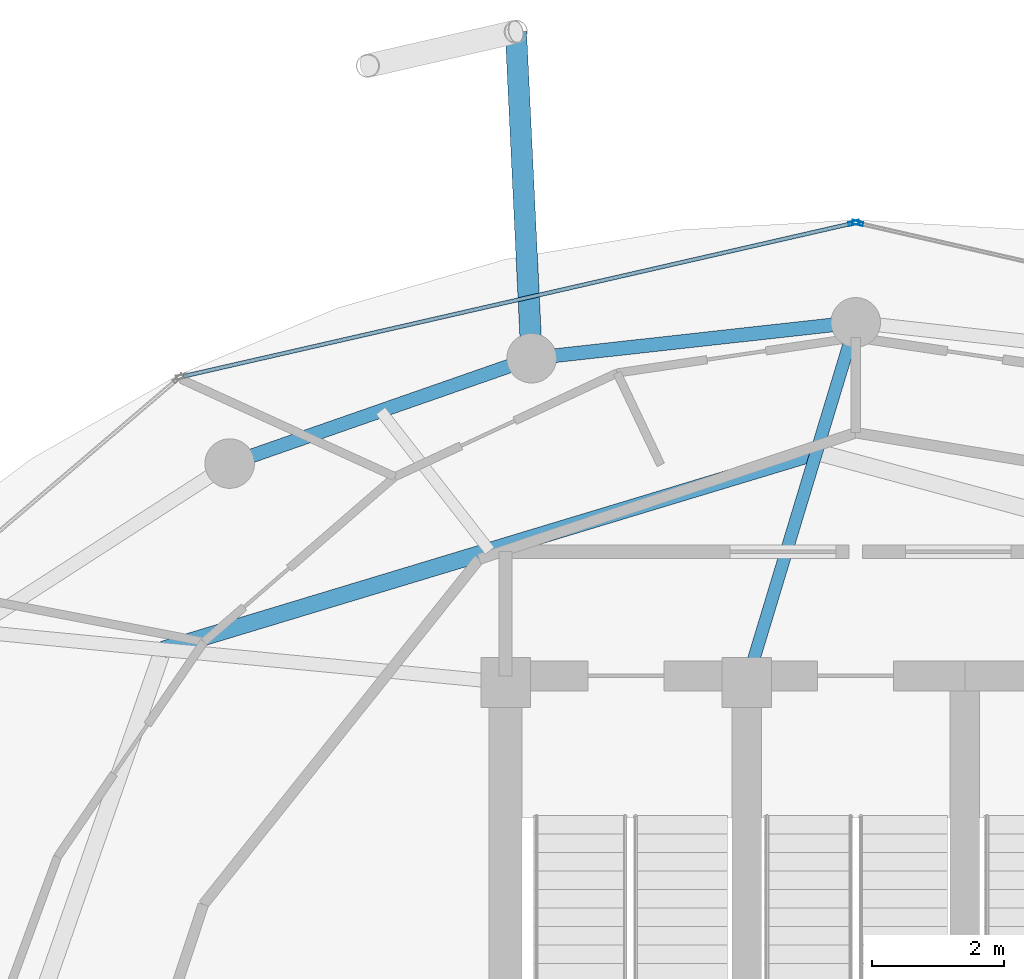
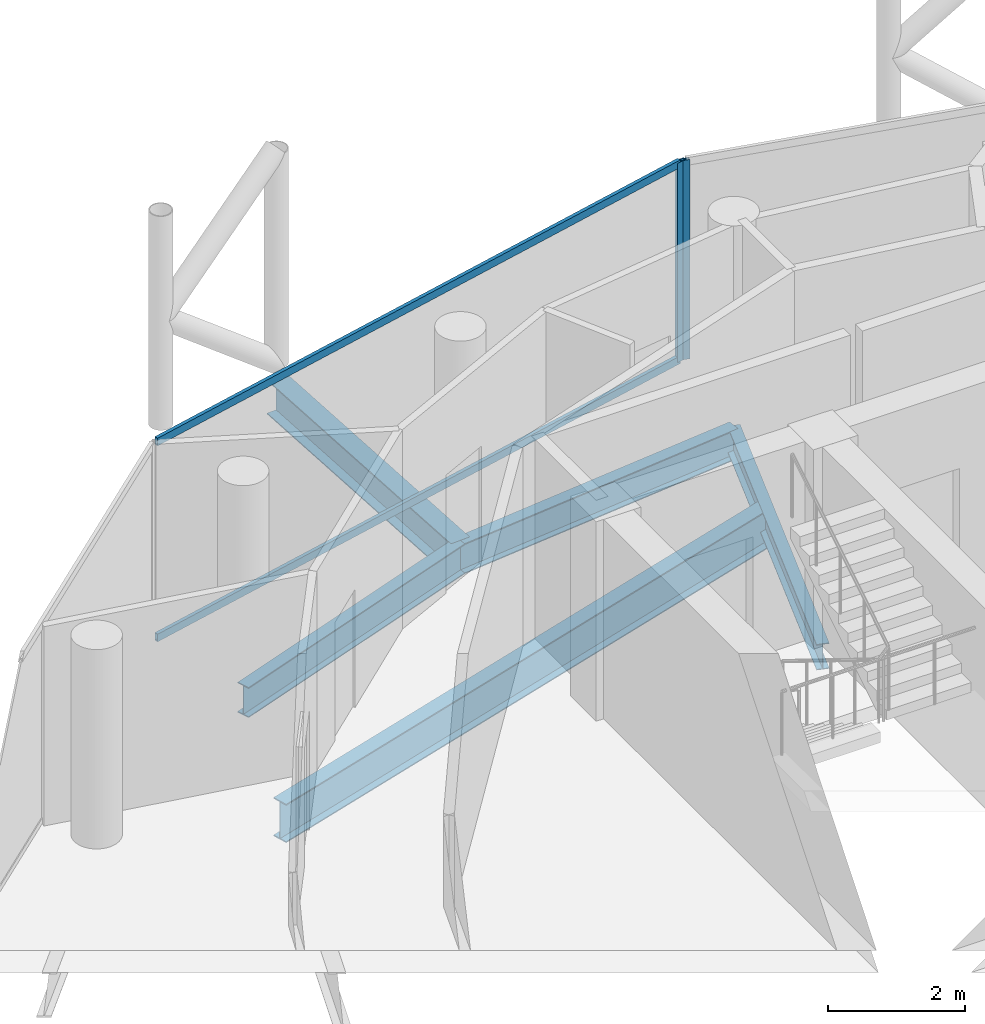
# One storey, part 16 of 24: 5 beams, 4 members, 2 elements without a shape of their own.
"""IFC4 building model written with IfcOpenShell, lengths in metres."""

from ifc_helpers import new_model, si_unit, direction, frame, origin, origin_2d, place, context, subcontext, project, spatial, hollow_rectangle, i_section, extrude, material, layer, layer_set, material_profile, profile_set, type_object, element, aggregate, save


model = new_model("IFC4")

# Units and contexts
model_context = context("Model", 3, precision=1e-05, world=origin(), true_north=direction((0.0, 1.0)))
body_context = subcontext(model_context, "Body", "Model", "MODEL_VIEW")
ifc_project = project(units=[si_unit("LENGTHUNIT", "METRE"), si_unit("AREAUNIT", "SQUARE_METRE"), si_unit("VOLUMEUNIT", "CUBIC_METRE"), si_unit("PLANEANGLEUNIT", "RADIAN"), si_unit("MASSUNIT", "GRAM", prefix="KILO")], contexts=[model_context])

# Site, building, storey
site_placement = place(None, origin())
site = spatial("IfcSite", under=ifc_project, at=site_placement, CompositionType="ELEMENT")
building_placement = place(site_placement, origin())
building = spatial("IfcBuilding", under=site, at=building_placement, Name="Nuhasar Tower", CompositionType="ELEMENT")
storey_placement = place(building_placement, frame((0.0, 0.0, 289.800048828125)))
storey = spatial("IfcBuildingStorey", under=building, at=storey_placement, Name="L72", CompositionType="ELEMENT", Elevation=289.800048828125)

# Beams
ifc_material_1 = material(Name="Steel S355", Category="steel")
ifc_material_profile_1 = material_profile(ifc_material_1, i_section(OverallWidth=0.25390625, OverallDepth=0.68408203125, WebThickness=0.012451171875, FlangeThickness=0.018798828125, at=origin_2d()), Name="W27X94")
ifc_profile_set_1 = profile_set([ifc_material_profile_1], Name="Steel S355")
beam_type_1 = type_object("IfcBeamType", Name="BM-INRING-W27X94", PredefinedType="BEAM", material=ifc_profile_set_1)
beam_1_placement = place(storey_placement, frame((38.406005859375, 40.7880859375, -0.60205078125), z_axis=(-0.957210818407, -0.289391515294, 0.0), x_axis=(0.289391515294, -0.957210818407, 0.0)))
element("IfcBeam", 1, at=beam_1_placement, inside=storey, type_object=beam_type_1, Name="L72 Inner Header Beam 06", PredefinedType="BEAM", context=body_context, shape_type="SweptSolid", body=[
    extrude(i_section(OverallWidth=0.25390625, OverallDepth=0.68408203125, WebThickness=0.012451171875, FlangeThickness=0.018798828125, at=origin_2d()), origin(), (0.0, 0.0, 1.0), 10.33203125),
])
ifc_material_profile_2 = material_profile(ifc_material_1, i_section(OverallWidth=0.18994140625, OverallDepth=0.45703125, WebThickness=0.009033203125, FlangeThickness=0.014404296875, at=origin_2d()), Name="W18X50")
ifc_profile_set_2 = profile_set([ifc_material_profile_2], Name="Steel S355")
beam_type_2 = type_object("IfcBeamType", Name="BM-RAD-W18X50", PredefinedType="BEAM", material=ifc_profile_set_2)
beam_2_placement = place(storey_placement, frame((37.35009765625, 37.300048828125, -0.488037109375), z_axis=(0.289750350206, 0.957102259195, 0.0), x_axis=(-0.957102259195, 0.289750350206, 0.0)))
element("IfcBeam", 2, at=beam_2_placement, inside=storey, type_object=beam_type_2, Name="L72 Radial Floor Girder 06", PredefinedType="BEAM", context=body_context, shape_type="SweptSolid", body=[
    extrude(i_section(OverallWidth=0.18994140625, OverallDepth=0.45703125, WebThickness=0.009033203125, FlangeThickness=0.014404296875, at=origin_2d()), origin(), (0.0, 0.0, 1.0), 5.6943359375),
])
ifc_material_profile_3 = material_profile(ifc_material_1, i_section(OverallWidth=0.2099609375, OverallDepth=0.537109375, WebThickness=0.010986328125, FlangeThickness=0.017333984375, at=origin_2d()), Name="W21X68")
ifc_profile_set_3 = profile_set([ifc_material_profile_3], Name="Steel S355")
beam_type_3 = type_object("IfcBeamType", Name="BM-RING-W21X68", PredefinedType="SPANDREL", material=ifc_profile_set_3)
beam_3_placement = place(storey_placement, frame((39.0, 42.75, -0.528076171875), z_axis=(-0.99392889943, -0.110024283128, 0.0), x_axis=(0.110024283128, -0.99392889943, 0.0)))
element("IfcBeam", 3, at=beam_3_placement, inside=storey, type_object=beam_type_3, Name="L72 Perimeter Ring Spandrel 07", PredefinedType="SPANDREL", context=body_context, shape_type="SweptSolid", body=[
    extrude(i_section(OverallWidth=0.2099609375, OverallDepth=0.537109375, WebThickness=0.010986328125, FlangeThickness=0.017333984375, at=origin_2d()), origin(), (0.0, 0.0, 1.0), 4.93505859375),
])
beam_4_placement = place(storey_placement, frame((34.094970703125, 42.20703125, -0.528076171875), z_axis=(-0.944214043504, -0.329332415729, 0.0), x_axis=(0.329332415729, -0.944214043504, 0.0)))
element("IfcBeam", 4, at=beam_4_placement, inside=storey, type_object=beam_type_3, Name="L72 Perimeter Ring Spandrel 08", PredefinedType="SPANDREL", context=body_context, shape_type="SweptSolid", body=[
    extrude(i_section(OverallWidth=0.2099609375, OverallDepth=0.537109375, WebThickness=0.010986328125, FlangeThickness=0.017333984375, at=origin_2d()), origin(), (0.0, 0.0, 1.0), 4.840087890625),
])
ifc_material_profile_4 = material_profile(ifc_material_1, i_section(OverallWidth=0.323974609375, OverallDepth=0.611083984375, WebThickness=0.0126953125, FlangeThickness=0.01904296875, at=origin_2d()), Name="W24X104")
ifc_profile_set_4 = profile_set([ifc_material_profile_4], Name="Steel S355")
beam_type_4 = type_object("IfcBeamType", Name="BM-TIE-W24X104", PredefinedType="BEAM", material=ifc_profile_set_4)
beam_5_placement = place(storey_placement, frame((34.094970703125, 42.20703125, -0.56494140625), z_axis=(-0.048111398417, 0.998841976162, 0.0), x_axis=(-0.998841976162, -0.048111398417, 0.0)))
element("IfcBeam", 5, at=beam_5_placement, inside=storey, type_object=beam_type_4, Name="L72 Exoskeleton Node Tie Beam 04", PredefinedType="BEAM", context=body_context, shape_type="SweptSolid", body=[
    extrude(i_section(OverallWidth=0.323974609375, OverallDepth=0.611083984375, WebThickness=0.0126953125, FlangeThickness=0.01904296875, at=origin_2d()), origin(), (0.0, 0.0, 1.0), 4.947509765625),
])

# Curtain wall, member
ifc_material_2 = material(Name="Aluminium 6063-T6", Category="aluminium")
ifc_layer = layer(ifc_material_2, 0.18994140625)
ifc_layer_set = layer_set([ifc_layer], Name="Aluminium 6063-T6")
curtain_wall_type = type_object("IfcCurtainWallType", Name="CW-Z4-PEN", PredefinedType="NOTDEFINED", material=ifc_layer_set)
curtain_wall_1_placement = place(storey_placement, origin())
curtain_wall_1 = element("IfcCurtainWall", 6, at=curtain_wall_1_placement, inside=storey, type_object=curtain_wall_type, Name="L72 Unitised Curtain Wall 03", PredefinedType="NOTDEFINED")
ifc_material_profile_5 = material_profile(ifc_material_2, hollow_rectangle(XDim=0.06005859375, YDim=0.1650390625, WallThickness=0.0048828125, at=origin_2d()), Name="CWM-5")
ifc_profile_set_5 = profile_set([ifc_material_profile_5], Name="Aluminium 6063-T6")
member_type_1 = type_object("IfcMemberType", Name="CW-MUL-S5", PredefinedType="MULLION", material=ifc_profile_set_5)
member_1_placement = place(storey_placement, frame((39.029296875, 44.25341796875, 0.0), z_axis=(0.0, 0.0, 1.0), x_axis=(-0.222889487645, -0.97484371891, 0.0)))
member_1 = element("IfcMember", 7, at=member_1_placement, type_object=member_type_1, Name="CW-Z4 mullion 2", PredefinedType="MULLION", context=body_context, shape_type="SweptSolid", body=[
    extrude(hollow_rectangle(XDim=0.06005859375, YDim=0.1650390625, WallThickness=0.0048828125, at=origin_2d()), origin(), (0.0, 0.0, 1.0), 3.5400390625),
])
aggregate(curtain_wall_1, [member_1])

# Curtain wall, members
curtain_wall_2_placement = place(storey_placement, origin())
curtain_wall_2 = element("IfcCurtainWall", 8, at=curtain_wall_2_placement, inside=storey, type_object=curtain_wall_type, Name="L72 Unitised Curtain Wall 04", PredefinedType="NOTDEFINED")
member_2_placement = place(storey_placement, frame((38.970703125, 44.25341796875, 0.0), z_axis=(0.0, 0.0, 1.0), x_axis=(0.222889487645, -0.97484371891, 0.0)))
member_2 = element("IfcMember", 9, at=member_2_placement, type_object=member_type_1, Name="CW-Z4 mullion 1", PredefinedType="MULLION", context=body_context, shape_type="SweptSolid", body=[
    extrude(hollow_rectangle(XDim=0.06005859375, YDim=0.1650390625, WallThickness=0.0048828125, at=origin_2d()), origin(), (0.0, 0.0, 1.0), 3.5400390625),
])
ifc_material_profile_6 = material_profile(ifc_material_2, hollow_rectangle(XDim=0.06005859375, YDim=0.135009765625, WallThickness=0.00439453125, at=origin_2d()), Name="CWT-5")
ifc_profile_set_6 = profile_set([ifc_material_profile_6], Name="Aluminium 6063-T6")
member_type_2 = type_object("IfcMemberType", Name="CW-TRN-S5", PredefinedType="USERDEFINED", material=ifc_profile_set_6)
member_3_placement = place(storey_placement, frame((38.94140625, 44.24658203125, 0.030029296875), z_axis=(-0.974843752401, -0.222889341163, 0.0), x_axis=(0.222889341163, -0.974843752401, 0.0)))
member_3 = element("IfcMember", 10, at=member_3_placement, type_object=member_type_2, Name="CW-Z4 transom 1.1", ObjectType="TRANSOM", PredefinedType="USERDEFINED", context=body_context, shape_type="SweptSolid", body=[
    extrude(hollow_rectangle(XDim=0.06005859375, YDim=0.135009765625, WallThickness=0.00439453125, at=origin_2d()), origin(), (0.0, 0.0, 1.0), 10.3740234375),
])
member_4_placement = place(storey_placement, frame((38.94140625, 44.24658203125, 3.510009765625), z_axis=(-0.974843752401, -0.222889341163, 0.0), x_axis=(0.222889341163, -0.974843752401, 0.0)))
member_4 = element("IfcMember", 11, at=member_4_placement, type_object=member_type_2, Name="CW-Z4 transom 1.2", ObjectType="TRANSOM", PredefinedType="USERDEFINED", context=body_context, shape_type="SweptSolid", body=[
    extrude(hollow_rectangle(XDim=0.06005859375, YDim=0.135009765625, WallThickness=0.00439453125, at=origin_2d()), origin(), (0.0, 0.0, 1.0), 10.3740234375),
])
aggregate(curtain_wall_2, [member_2, member_3, member_4])

save(model, "model.ifc")
